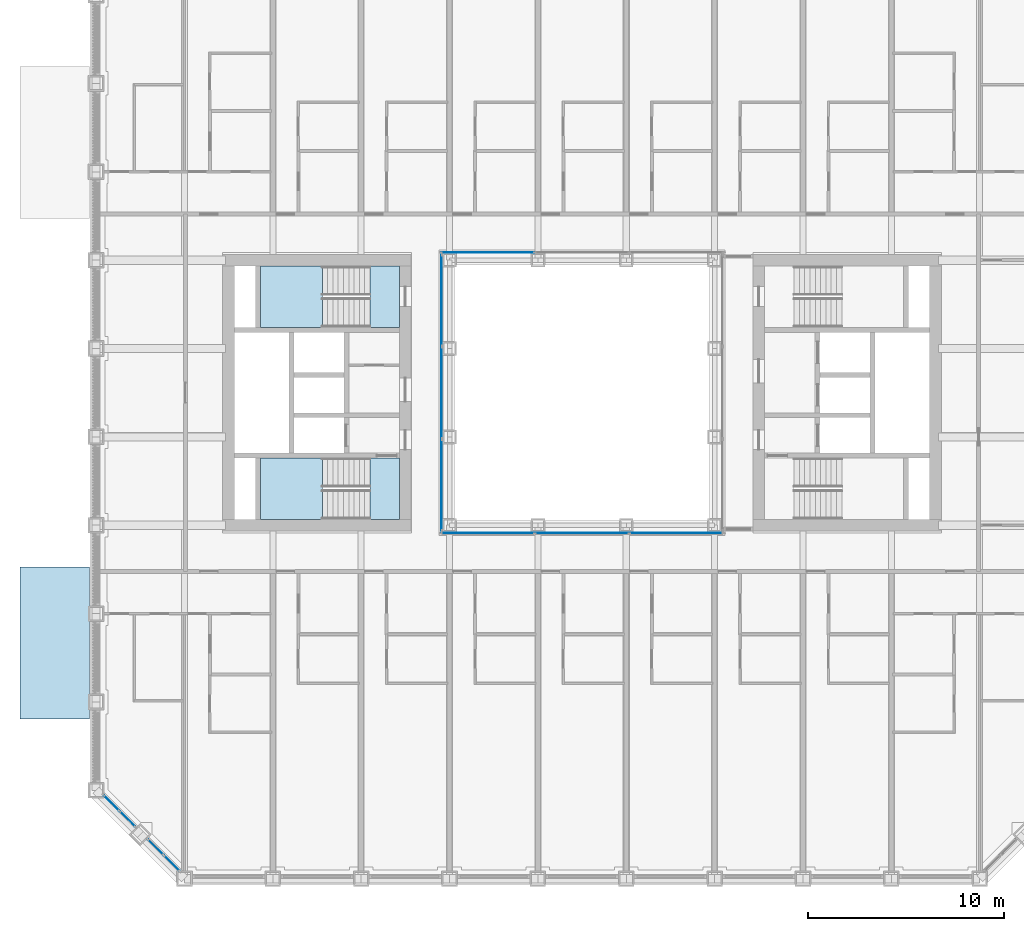
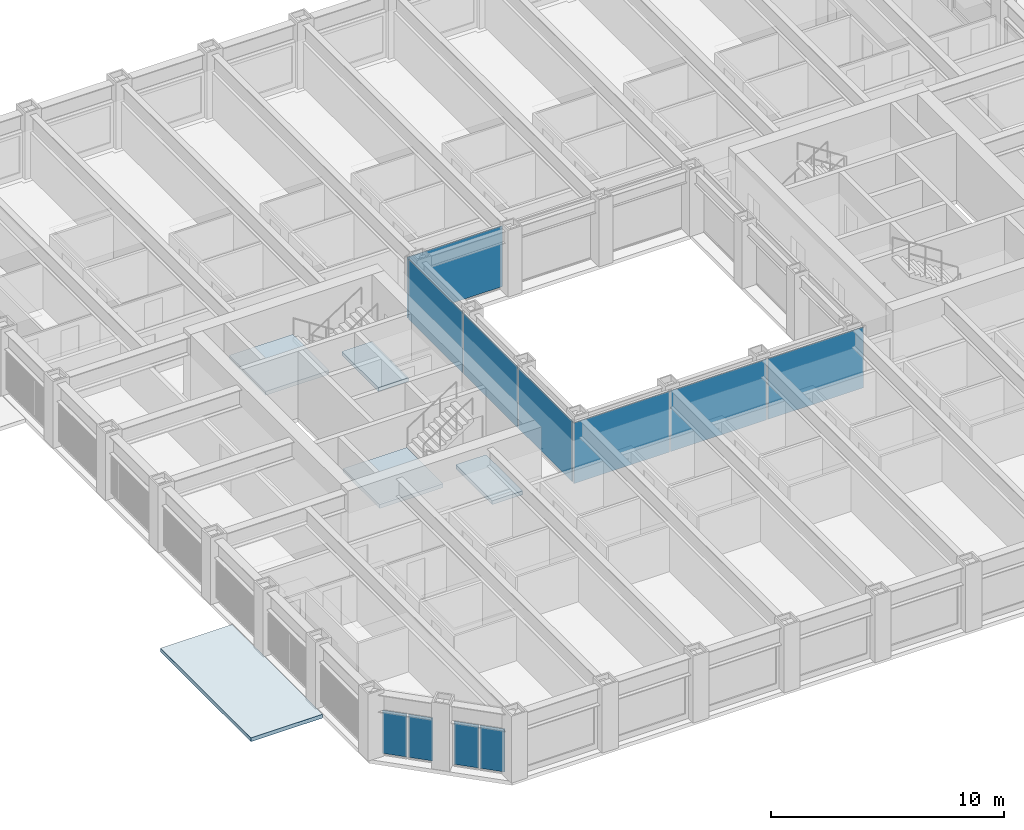
# One storey, part 8 of 24: 11 plates, 5 slabs, 7 elements without a shape of their own.
"""IFC4 building model written with IfcOpenShell, lengths in metres."""

from ifc_helpers import new_model, si_unit, direction, frame, origin, origin_2d, place, context, subcontext, project, spatial, polyline, rectangle, outline, extrude, material, layer, layer_set, type_object, element, aggregate, save


model = new_model("IFC4")

# Units and contexts
model_context = context("Model", 3, precision=1e-05, world=origin(), true_north=direction((0.0, 1.0)))
body_context = subcontext(model_context, "Body", "Model", "MODEL_VIEW")
ifc_project = project(units=[si_unit("LENGTHUNIT", "METRE"), si_unit("AREAUNIT", "SQUARE_METRE"), si_unit("VOLUMEUNIT", "CUBIC_METRE"), si_unit("PLANEANGLEUNIT", "RADIAN"), si_unit("MASSUNIT", "GRAM", prefix="KILO")], contexts=[model_context])

# Site, building, storey
site_placement = place(None, origin())
site = spatial("IfcSite", under=ifc_project, at=site_placement, CompositionType="ELEMENT")
building_placement = place(site_placement, origin())
building = spatial("IfcBuilding", under=site, at=building_placement, Name="Msasa Ring Tower", CompositionType="ELEMENT")
storey_placement = place(building_placement, frame((0.0, 0.0, 26.5)))
storey = spatial("IfcBuildingStorey", under=building, at=storey_placement, Name="L05", CompositionType="ELEMENT", Elevation=26.5)

# Curtain wall, plates
ifc_material_1 = material(Name="Aluminium curtain wall with clear glass", Category="aluminium")
curtain_wall_type_1 = type_object("IfcCurtainWallType", Name="CW-C CHAMFER CORNER CURTAIN WALL", PredefinedType="NOTDEFINED", material=ifc_material_1)
curtain_wall_1_placement = place(storey_placement, origin())
curtain_wall_1 = element("IfcCurtainWall", 1, at=curtain_wall_1_placement, inside=storey, type_object=curtain_wall_type_1, Name="Chamfer corner curtain wall SW L05", PredefinedType="NOTDEFINED")
ifc_material_2 = material(Name="Clear laminated insulating glass unit", Category="glass")
ifc_layer_1 = layer(ifc_material_2, 0.031982421875)
ifc_layer_set_1 = layer_set([ifc_layer_1], Name="CW-C GLASS PANEL 32")
plate_type_1 = type_object("IfcPlateType", Name="CW-C GLASS PANEL 32", PredefinedType="CURTAIN_PANEL", material=ifc_layer_set_1)
plate_1_placement = place(storey_placement, frame((-23.962158203125, -20.896484375, 0.06494140625), z_axis=(0.0, 0.0, 1.0), x_axis=(0.707106781187, -0.707106781187, 0.0)))
plate_1 = element("IfcPlate", 2, at=plate_1_placement, type_object=plate_type_1, Name="CW-C panel 1.1", PredefinedType="CURTAIN_PANEL", context=body_context, shape_type="SweptSolid", body=[
    extrude(rectangle(XDim=1.08837890625, YDim=0.031982421875, at=origin_2d()), origin(), (0.0, 0.0, 1.0), 2.2490234375),
])
plate_2_placement = place(storey_placement, frame((-23.146484375, -21.712158203125, 0.06494140625), z_axis=(0.0, 0.0, 1.0), x_axis=(0.707106781187, -0.707106781187, 0.0)))
plate_2 = element("IfcPlate", 3, at=plate_2_placement, type_object=plate_type_1, Name="CW-C panel 2.1", PredefinedType="CURTAIN_PANEL", context=body_context, shape_type="SweptSolid", body=[
    extrude(rectangle(XDim=1.08837890625, YDim=0.031982421875, at=origin_2d()), origin(), (0.0, 0.0, 1.0), 2.2490234375),
])
aggregate(curtain_wall_1, [plate_1, plate_2])

curtain_wall_2_placement = place(storey_placement, origin())
curtain_wall_2 = element("IfcCurtainWall", 4, at=curtain_wall_2_placement, inside=storey, type_object=curtain_wall_type_1, Name="Chamfer corner curtain wall SW L05", PredefinedType="NOTDEFINED")
plate_3_placement = place(storey_placement, frame((-21.712158203125, -23.146484375, 0.06494140625), z_axis=(0.0, 0.0, 1.0), x_axis=(0.707106781187, -0.707106781187, 0.0)))
plate_3 = element("IfcPlate", 5, at=plate_3_placement, type_object=plate_type_1, Name="CW-C panel 1.1", PredefinedType="CURTAIN_PANEL", context=body_context, shape_type="SweptSolid", body=[
    extrude(rectangle(XDim=1.08837890625, YDim=0.031982421875, at=origin_2d()), origin(), (0.0, 0.0, 1.0), 2.2490234375),
])
plate_4_placement = place(storey_placement, frame((-20.896484375, -23.962158203125, 0.06494140625), z_axis=(0.0, 0.0, 1.0), x_axis=(0.707106781187, -0.707106781187, 0.0)))
plate_4 = element("IfcPlate", 6, at=plate_4_placement, type_object=plate_type_1, Name="CW-C panel 2.1", PredefinedType="CURTAIN_PANEL", context=body_context, shape_type="SweptSolid", body=[
    extrude(rectangle(XDim=1.08837890625, YDim=0.031982421875, at=origin_2d()), origin(), (0.0, 0.0, 1.0), 2.2490234375),
])
aggregate(curtain_wall_2, [plate_3, plate_4])

# Curtain wall, plate
ifc_material_3 = material(Name="Aluminium curtain wall with clear glass", Category="aluminium")
curtain_wall_type_2 = type_object("IfcCurtainWallType", Name="CW-W LIGHT WELL CURTAIN WALL", PredefinedType="NOTDEFINED", material=ifc_material_3)
curtain_wall_3_placement = place(storey_placement, origin())
curtain_wall_3 = element("IfcCurtainWall", 7, at=curtain_wall_3_placement, inside=storey, type_object=curtain_wall_type_2, Name="Light well curtain wall N L05", PredefinedType="NOTDEFINED")
ifc_material_4 = material(Name="Clear laminated insulating glass unit", Category="glass")
ifc_layer_2 = layer(ifc_material_4, 0.028076171875)
ifc_layer_set_2 = layer_set([ifc_layer_2], Name="CW-W GLASS PANEL 28")
plate_type_2 = type_object("IfcPlateType", Name="CW-W GLASS PANEL 28", PredefinedType="CURTAIN_PANEL", material=ifc_layer_set_2)
plate_5_placement = place(storey_placement, frame((-4.804931640625, 7.14990234375, 0.06005859375), z_axis=(0.0, 0.0, 1.0), x_axis=(1.0, 0.0, 0.0)))
plate_5 = element("IfcPlate", 8, at=plate_5_placement, type_object=plate_type_2, Name="CW-W panel 1.1", PredefinedType="CURTAIN_PANEL", context=body_context, shape_type="SweptSolid", body=[
    extrude(rectangle(XDim=4.72998046875, YDim=0.028076171875, at=origin_2d()), origin(), (0.0, 0.0, 1.0), 3.179931640625),
])
aggregate(curtain_wall_3, [plate_5])

# Curtain wall, plates
curtain_wall_4_placement = place(storey_placement, origin())
curtain_wall_4 = element("IfcCurtainWall", 9, at=curtain_wall_4_placement, inside=storey, type_object=curtain_wall_type_2, Name="Light well curtain wall S L05", PredefinedType="NOTDEFINED")
plate_6_placement = place(storey_placement, frame((-4.804931640625, -7.14990234375, 0.06005859375), z_axis=(0.0, 0.0, 1.0), x_axis=(1.0, 0.0, 0.0)))
plate_6 = element("IfcPlate", 10, at=plate_6_placement, type_object=plate_type_2, Name="CW-W panel 1.1", PredefinedType="CURTAIN_PANEL", context=body_context, shape_type="SweptSolid", body=[
    extrude(rectangle(XDim=4.72998046875, YDim=0.028076171875, at=origin_2d()), origin(), (0.0, 0.0, 1.0), 3.179931640625),
])
plate_7_placement = place(storey_placement, frame((0.0, -7.14990234375, 0.06005859375), z_axis=(0.0, 0.0, 1.0), x_axis=(1.0, 0.0, 0.0)))
plate_7 = element("IfcPlate", 11, at=plate_7_placement, type_object=plate_type_2, Name="CW-W panel 2.1", PredefinedType="CURTAIN_PANEL", context=body_context, shape_type="SweptSolid", body=[
    extrude(rectangle(XDim=4.760009765625, YDim=0.028076171875, at=origin_2d()), origin(), (0.0, 0.0, 1.0), 3.179931640625),
])
plate_8_placement = place(storey_placement, frame((4.804931640625, -7.14990234375, 0.06005859375), z_axis=(0.0, 0.0, 1.0), x_axis=(1.0, 0.0, 0.0)))
plate_8 = element("IfcPlate", 12, at=plate_8_placement, type_object=plate_type_2, Name="CW-W panel 3.1", PredefinedType="CURTAIN_PANEL", context=body_context, shape_type="SweptSolid", body=[
    extrude(rectangle(XDim=4.72998046875, YDim=0.028076171875, at=origin_2d()), origin(), (0.0, 0.0, 1.0), 3.179931640625),
])
aggregate(curtain_wall_4, [plate_6, plate_7, plate_8])

curtain_wall_5_placement = place(storey_placement, origin())
curtain_wall_5 = element("IfcCurtainWall", 13, at=curtain_wall_5_placement, inside=storey, type_object=curtain_wall_type_2, Name="Light well curtain wall W L05", PredefinedType="NOTDEFINED")
plate_9_placement = place(storey_placement, frame((-7.14990234375, -4.6982421875, 0.06005859375), z_axis=(0.0, 0.0, 1.0), x_axis=(0.0, 1.0, 0.0)))
plate_9 = element("IfcPlate", 14, at=plate_9_placement, type_object=plate_type_2, Name="CW-W panel 1.1", PredefinedType="CURTAIN_PANEL", context=body_context, shape_type="SweptSolid", body=[
    extrude(rectangle(XDim=4.623291015625, YDim=0.028076171875, at=origin_2d()), origin(), (0.0, 0.0, 1.0), 3.179931640625),
])
plate_10_placement = place(storey_placement, frame((-7.14990234375, 0.0, 0.06005859375), z_axis=(0.0, 0.0, 1.0), x_axis=(0.0, 1.0, 0.0)))
plate_10 = element("IfcPlate", 15, at=plate_10_placement, type_object=plate_type_2, Name="CW-W panel 2.1", PredefinedType="CURTAIN_PANEL", context=body_context, shape_type="SweptSolid", body=[
    extrude(rectangle(XDim=4.6533203125, YDim=0.028076171875, at=origin_2d()), origin(), (0.0, 0.0, 1.0), 3.179931640625),
])
plate_11_placement = place(storey_placement, frame((-7.14990234375, 4.6982421875, 0.06005859375), z_axis=(0.0, 0.0, 1.0), x_axis=(0.0, 1.0, 0.0)))
plate_11 = element("IfcPlate", 16, at=plate_11_placement, type_object=plate_type_2, Name="CW-W panel 3.1", PredefinedType="CURTAIN_PANEL", context=body_context, shape_type="SweptSolid", body=[
    extrude(rectangle(XDim=4.623291015625, YDim=0.028076171875, at=origin_2d()), origin(), (0.0, 0.0, 1.0), 3.179931640625),
])
aggregate(curtain_wall_5, [plate_9, plate_10, plate_11])

# Stair, slabs
ifc_material_5 = material(Name="Concrete C40/50", Category="concrete")
stair_type = type_object("IfcStairType", Name="STC CORE STAIR 20 RISERS 175", PredefinedType="HALF_TURN_STAIR", material=ifc_material_5)
stair_1_placement = place(storey_placement, origin())
stair_1 = element("IfcStair", 17, at=stair_1_placement, inside=storey, type_object=stair_type, Name="Core stair SWA L05", PredefinedType="HALF_TURN_STAIR")
ifc_material_6 = material(Name="Concrete C40/50", Category="concrete")
ifc_layer_3 = layer(ifc_material_6, 0.199951171875)
ifc_layer_set_3 = layer_set([ifc_layer_3], Name="LD1 CORE STAIR LANDING 200")
slab_type_1 = type_object("IfcSlabType", Name="LD1 CORE STAIR LANDING 200", PredefinedType="LANDING", material=ifc_layer_set_3)
slab_1_placement = place(storey_placement, frame((0.0, 0.0, -0.199951171875)))
slab_1 = element("IfcSlab", 18, at=slab_1_placement, type_object=slab_type_1, Name="SWA landing 1", PredefinedType="LANDING", context=body_context, shape_type="SweptSolid", body=[
    extrude(outline(polyline([(-10.800048828125, -6.449951171875), (-9.300048828125, -6.449951171875), (-9.300048828125, -3.324951171875), (-10.800048828125, -3.324951171875), (-10.800048828125, -6.449951171875)])), origin(), (0.0, 0.0, 1.0), 0.199951171875),
])
slab_2_placement = place(storey_placement, frame((0.0, 0.0, 1.550048828125)))
slab_2 = element("IfcSlab", 19, at=slab_2_placement, type_object=slab_type_1, Name="SWA landing 2", PredefinedType="LANDING", context=body_context, shape_type="SweptSolid", body=[
    extrude(outline(polyline([(-16.375, -6.449951171875), (-13.22998046875, -6.449951171875), (-13.22998046875, -3.324951171875), (-16.375, -3.324951171875), (-16.375, -6.449951171875)])), origin(), (0.0, 0.0, 1.0), 0.199951171875),
])
aggregate(stair_1, [slab_1, slab_2])

stair_2_placement = place(storey_placement, origin())
stair_2 = element("IfcStair", 20, at=stair_2_placement, inside=storey, type_object=stair_type, Name="Core stair SWB L05", PredefinedType="HALF_TURN_STAIR")
slab_3_placement = place(storey_placement, frame((0.0, 0.0, -0.199951171875)))
slab_3 = element("IfcSlab", 21, at=slab_3_placement, type_object=slab_type_1, Name="SWB landing 1", PredefinedType="LANDING", context=body_context, shape_type="SweptSolid", body=[
    extrude(outline(polyline([(-10.800048828125, 3.324951171875), (-9.300048828125, 3.324951171875), (-9.300048828125, 6.449951171875), (-10.800048828125, 6.449951171875), (-10.800048828125, 3.324951171875)])), origin(), (0.0, 0.0, 1.0), 0.199951171875),
])
slab_4_placement = place(storey_placement, frame((0.0, 0.0, 1.550048828125)))
slab_4 = element("IfcSlab", 22, at=slab_4_placement, type_object=slab_type_1, Name="SWB landing 2", PredefinedType="LANDING", context=body_context, shape_type="SweptSolid", body=[
    extrude(outline(polyline([(-16.375, 3.324951171875), (-13.22998046875, 3.324951171875), (-13.22998046875, 6.449951171875), (-16.375, 6.449951171875), (-16.375, 3.324951171875)])), origin(), (0.0, 0.0, 1.0), 0.199951171875),
])
aggregate(stair_2, [slab_3, slab_4])

# Slab
ifc_material_7 = material(Name="Concrete C40/50", Category="concrete")
ifc_layer_4 = layer(ifc_material_7, 0.199951171875)
ifc_layer_set_4 = layer_set([ifc_layer_4], Name="R2 STAIR HEAD-HOUSE ROOF 200")
slab_type_2 = type_object("IfcSlabType", Name="R2 STAIR HEAD-HOUSE ROOF 200", PredefinedType="ROOF", material=ifc_layer_set_4)
slab_5_placement = place(storey_placement, frame((0.0, 0.0, -0.199951171875)))
element("IfcSlab", 23, at=slab_5_placement, inside=storey, type_object=slab_type_2, Name="Stair head-house roof PWS", PredefinedType="ROOF", context=body_context, shape_type="SweptSolid", body=[
    extrude(outline(polyline([(-28.625, -16.625), (-25.074951171875, -16.625), (-25.074951171875, -8.875), (-28.625, -8.875), (-28.625, -16.625)])), origin(), (0.0, 0.0, 1.0), 0.199951171875),
])

save(model, "model.ifc")
